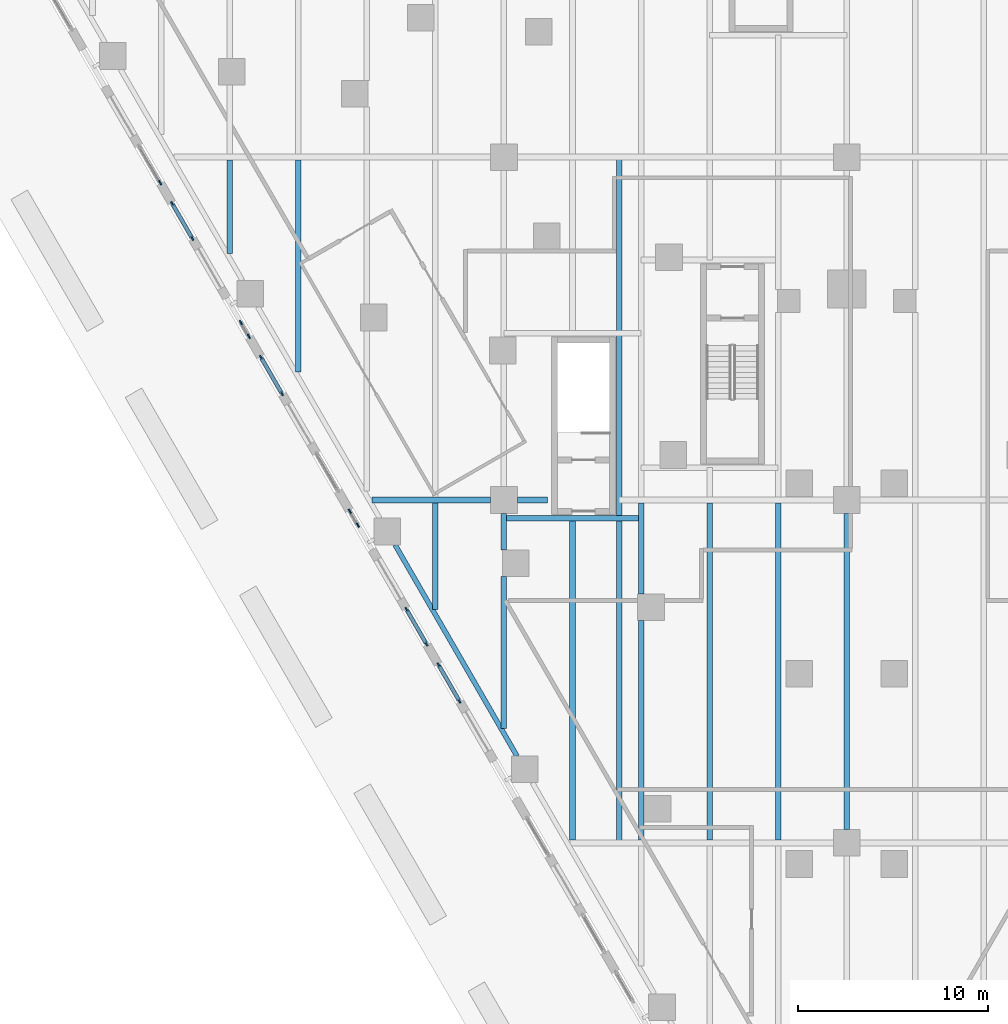
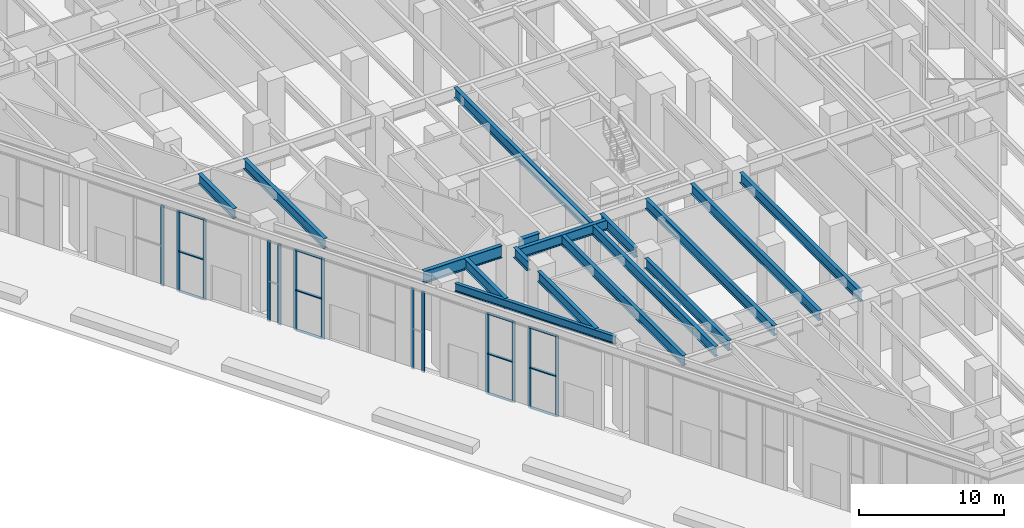
# One storey, part 5 of 37: 25 members, 16 beams, 7 elements without a shape of their own.
"""IFC4 building model written with IfcOpenShell, lengths in metres."""

from ifc_helpers import new_model, si_unit, direction, frame, origin, origin_2d, place, context, subcontext, project, spatial, rectangle, i_section, extrude, material, material_profile, profile_set, type_object, element, aggregate, save


model = new_model("IFC4")

# Units and contexts
model_context = context("Model", 3, precision=1e-05, world=origin(), true_north=direction((0.0, 1.0)))
body_context = subcontext(model_context, "Body", "Model", "MODEL_VIEW")
ifc_project = project(units=[si_unit("LENGTHUNIT", "METRE"), si_unit("AREAUNIT", "SQUARE_METRE"), si_unit("VOLUMEUNIT", "CUBIC_METRE"), si_unit("PLANEANGLEUNIT", "RADIAN"), si_unit("MASSUNIT", "GRAM", prefix="KILO")], contexts=[model_context])

# Site, building, storey
site_placement = place(None, origin())
site = spatial("IfcSite", under=ifc_project, at=site_placement, CompositionType="ELEMENT")
building_placement = place(site_placement, origin())
building = spatial("IfcBuilding", under=site, at=building_placement, Name="Aloe Facet Convention Tower", CompositionType="ELEMENT")
storey_placement = place(building_placement, origin())
storey = spatial("IfcBuildingStorey", under=building, at=storey_placement, Name="L00", CompositionType="ELEMENT", Elevation=0.0)

# Curtain wall, member
ifc_material_1 = material(Name="Aluminium, anodised", Category="aluminium")
curtain_wall_type = type_object("IfcCurtainWallType", Name="EV-CW-PORTAL", PredefinedType="USERDEFINED", material=ifc_material_1)
curtain_wall_1_placement = place(storey_placement, origin())
curtain_wall_1 = element("IfcCurtainWall", 1, at=curtain_wall_1_placement, inside=storey, type_object=curtain_wall_type, Name="CW-L00-W08B", ObjectType="ENTRANCE PORTAL GLAZING", PredefinedType="USERDEFINED")
ifc_material_2 = material(Name="Aluminium, anodised", Category="aluminium")
ifc_material_profile_1 = material_profile(ifc_material_2, rectangle(XDim=0.080078125, YDim=0.25, at=origin_2d()), Name="AL 80x250")
ifc_profile_set_1 = profile_set([ifc_material_profile_1], Name="Aluminium, anodised")
member_type_1 = type_object("IfcMemberType", Name="EV-MULL-PORTAL", PredefinedType="MULLION", material=ifc_profile_set_1)
member_1_placement = place(storey_placement, frame((43.9501953125, 97.660888671875, -0.300048828125), z_axis=(0.0, 0.0, 1.0), x_axis=(0.866025403942, 0.499999999728, 0.0)))
member_1 = element("IfcMember", 2, at=member_1_placement, type_object=member_type_1, Name="CW-L00-W08B mullion 2", PredefinedType="MULLION", context=body_context, shape_type="SweptSolid", body=[
    extrude(rectangle(XDim=0.080078125, YDim=0.25, at=origin_2d()), origin(), (0.0, 0.0, 1.0), 6.8125),
])
aggregate(curtain_wall_1, [member_1])

# Curtain wall, members
curtain_wall_2_placement = place(storey_placement, origin())
curtain_wall_2 = element("IfcCurtainWall", 3, at=curtain_wall_2_placement, inside=storey, type_object=curtain_wall_type, Name="CW-L00-W10A", ObjectType="ENTRANCE PORTAL GLAZING", PredefinedType="USERDEFINED")
member_2_placement = place(storey_placement, frame((44.590087890625, 96.55224609375, -0.300048828125), z_axis=(0.0, 0.0, 1.0), x_axis=(0.86602540368, 0.500000000181, 0.0)))
member_2 = element("IfcMember", 4, at=member_2_placement, type_object=member_type_1, Name="CW-L00-W10A mullion 1", PredefinedType="MULLION", context=body_context, shape_type="SweptSolid", body=[
    extrude(rectangle(XDim=0.080078125, YDim=0.25, at=origin_2d()), origin(), (0.0, 0.0, 1.0), 6.8125),
])
member_3_placement = place(storey_placement, frame((45.63037109375, 94.75048828125, -0.300048828125), z_axis=(0.0, 0.0, 1.0), x_axis=(0.86602540368, 0.500000000181, 0.0)))
member_3 = element("IfcMember", 5, at=member_3_placement, type_object=member_type_1, Name="CW-L00-W10A mullion 2", PredefinedType="MULLION", context=body_context, shape_type="SweptSolid", body=[
    extrude(rectangle(XDim=0.080078125, YDim=0.25, at=origin_2d()), origin(), (0.0, 0.0, 1.0), 6.8125),
])

curtain_wall_3_placement = place(storey_placement, origin())
curtain_wall_3 = element("IfcCurtainWall", 6, at=curtain_wall_3_placement, inside=storey, type_object=curtain_wall_type, Name="CW-L00-W10B", ObjectType="ENTRANCE PORTAL GLAZING", PredefinedType="USERDEFINED")
member_4_placement = place(storey_placement, frame((48.18896484375, 90.31884765625, -0.300048828125), z_axis=(0.0, 0.0, 1.0), x_axis=(0.866025403872, 0.499999999849, 0.0)))
member_4 = element("IfcMember", 7, at=member_4_placement, type_object=member_type_1, Name="CW-L00-W10B mullion 1", PredefinedType="MULLION", context=body_context, shape_type="SweptSolid", body=[
    extrude(rectangle(XDim=0.080078125, YDim=0.25, at=origin_2d()), origin(), (0.0, 0.0, 1.0), 6.8125),
])
member_5_placement = place(storey_placement, frame((48.61083984375, 89.58837890625, -0.300048828125), z_axis=(0.0, 0.0, 1.0), x_axis=(0.866025403872, 0.499999999849, 0.0)))
member_5 = element("IfcMember", 8, at=member_5_placement, type_object=member_type_1, Name="CW-L00-W10B mullion 2", PredefinedType="MULLION", context=body_context, shape_type="SweptSolid", body=[
    extrude(rectangle(XDim=0.080078125, YDim=0.25, at=origin_2d()), origin(), (0.0, 0.0, 1.0), 6.8125),
])
aggregate(curtain_wall_3, [member_4, member_5])

curtain_wall_4_placement = place(storey_placement, origin())
curtain_wall_4 = element("IfcCurtainWall", 9, at=curtain_wall_4_placement, inside=storey, type_object=curtain_wall_type, Name="CW-L00-W12A", ObjectType="ENTRANCE PORTAL GLAZING", PredefinedType="USERDEFINED")
member_6_placement = place(storey_placement, frame((49.250732421875, 88.479736328125, -0.300048828125), z_axis=(0.0, 0.0, 1.0), x_axis=(0.86602540375, 0.50000000006, 0.0)))
member_6 = element("IfcMember", 10, at=member_6_placement, type_object=member_type_1, Name="CW-L00-W12A mullion 1", PredefinedType="MULLION", context=body_context, shape_type="SweptSolid", body=[
    extrude(rectangle(XDim=0.080078125, YDim=0.25, at=origin_2d()), origin(), (0.0, 0.0, 1.0), 6.8125),
])
member_7_placement = place(storey_placement, frame((50.341064453125, 86.59130859375, -0.300048828125), z_axis=(0.0, 0.0, 1.0), x_axis=(0.86602540375, 0.50000000006, 0.0)))
member_7 = element("IfcMember", 11, at=member_7_placement, type_object=member_type_1, Name="CW-L00-W12A mullion 2", PredefinedType="MULLION", context=body_context, shape_type="SweptSolid", body=[
    extrude(rectangle(XDim=0.080078125, YDim=0.25, at=origin_2d()), origin(), (0.0, 0.0, 1.0), 6.8125),
])

curtain_wall_5_placement = place(storey_placement, origin())
curtain_wall_5 = element("IfcCurtainWall", 12, at=curtain_wall_5_placement, inside=storey, type_object=curtain_wall_type, Name="CW-L00-W14A", ObjectType="ENTRANCE PORTAL GLAZING", PredefinedType="USERDEFINED")
member_8_placement = place(storey_placement, frame((53.911376953125, 80.4072265625, -0.300048828125), z_axis=(0.0, 0.0, 1.0), x_axis=(0.866025403872, 0.499999999849, 0.0)))
member_8 = element("IfcMember", 13, at=member_8_placement, type_object=member_type_1, Name="CW-L00-W14A mullion 1", PredefinedType="MULLION", context=body_context, shape_type="SweptSolid", body=[
    extrude(rectangle(XDim=0.080078125, YDim=0.25, at=origin_2d()), origin(), (0.0, 0.0, 1.0), 6.8125),
])
member_9_placement = place(storey_placement, frame((54.3330078125, 79.67724609375, -0.300048828125), z_axis=(0.0, 0.0, 1.0), x_axis=(0.866025403872, 0.499999999849, 0.0)))
member_9 = element("IfcMember", 14, at=member_9_placement, type_object=member_type_1, Name="CW-L00-W14A mullion 2", PredefinedType="MULLION", context=body_context, shape_type="SweptSolid", body=[
    extrude(rectangle(XDim=0.080078125, YDim=0.25, at=origin_2d()), origin(), (0.0, 0.0, 1.0), 6.8125),
])
aggregate(curtain_wall_5, [member_8, member_9])

curtain_wall_6_placement = place(storey_placement, origin())
curtain_wall_6 = element("IfcCurtainWall", 15, at=curtain_wall_6_placement, inside=storey, type_object=curtain_wall_type, Name="CW-L00-W14B", ObjectType="ENTRANCE PORTAL GLAZING", PredefinedType="USERDEFINED")
member_10_placement = place(storey_placement, frame((56.891845703125, 75.2451171875, -0.300048828125), z_axis=(0.0, 0.0, 1.0), x_axis=(0.866025403793, 0.499999999985, 0.0)))
member_10 = element("IfcMember", 16, at=member_10_placement, type_object=member_type_1, Name="CW-L00-W14B mullion 1", PredefinedType="MULLION", context=body_context, shape_type="SweptSolid", body=[
    extrude(rectangle(XDim=0.080078125, YDim=0.25, at=origin_2d()), origin(), (0.0, 0.0, 1.0), 6.8125),
])
member_11_placement = place(storey_placement, frame((57.93212890625, 73.443115234375, -0.300048828125), z_axis=(0.0, 0.0, 1.0), x_axis=(0.866025403793, 0.499999999985, 0.0)))
member_11 = element("IfcMember", 17, at=member_11_placement, type_object=member_type_1, Name="CW-L00-W14B mullion 2", PredefinedType="MULLION", context=body_context, shape_type="SweptSolid", body=[
    extrude(rectangle(XDim=0.080078125, YDim=0.25, at=origin_2d()), origin(), (0.0, 0.0, 1.0), 6.8125),
])

curtain_wall_7_placement = place(storey_placement, origin())
curtain_wall_7 = element("IfcCurtainWall", 18, at=curtain_wall_7_placement, inside=storey, type_object=curtain_wall_type, Name="CW-L00-W16A", ObjectType="ENTRANCE PORTAL GLAZING", PredefinedType="USERDEFINED")
member_12_placement = place(storey_placement, frame((58.572021484375, 72.334716796875, -0.300048828125), z_axis=(0.0, 0.0, 1.0), x_axis=(0.86602540375, 0.50000000006, 0.0)))
member_12 = element("IfcMember", 19, at=member_12_placement, type_object=member_type_1, Name="CW-L00-W16A mullion 1", PredefinedType="MULLION", context=body_context, shape_type="SweptSolid", body=[
    extrude(rectangle(XDim=0.080078125, YDim=0.25, at=origin_2d()), origin(), (0.0, 0.0, 1.0), 6.8125),
])
member_13_placement = place(storey_placement, frame((59.662353515625, 70.4462890625, -0.300048828125), z_axis=(0.0, 0.0, 1.0), x_axis=(0.86602540375, 0.50000000006, 0.0)))
member_13 = element("IfcMember", 20, at=member_13_placement, type_object=member_type_1, Name="CW-L00-W16A mullion 2", PredefinedType="MULLION", context=body_context, shape_type="SweptSolid", body=[
    extrude(rectangle(XDim=0.080078125, YDim=0.25, at=origin_2d()), origin(), (0.0, 0.0, 1.0), 6.8125),
])

# Member
ifc_material_3 = material(Name="Aluminium, anodised", Category="aluminium")
ifc_material_profile_2 = material_profile(ifc_material_3, rectangle(XDim=0.199951171875, YDim=0.080078125, at=origin_2d()), Name="AL 200x80")
ifc_profile_set_2 = profile_set([ifc_material_profile_2], Name="Aluminium, anodised")
member_type_2 = type_object("IfcMemberType", Name="EV-TRAN-PORTAL", PredefinedType="USERDEFINED", material=ifc_profile_set_2)
member_14_placement = place(storey_placement, frame((44.610107421875, 96.517578125, -0.260009765625), z_axis=(0.499958369336, -0.866049437925, 0.0), x_axis=(0.866049437925, 0.499958369336, 0.0)))
member_14 = element("IfcMember", 21, at=member_14_placement, type_object=member_type_2, Name="CW-L00-W10A transom 1.1", ObjectType="TRANSOM", PredefinedType="USERDEFINED", context=body_context, shape_type="SweptSolid", body=[
    extrude(rectangle(XDim=0.199951171875, YDim=0.080078125, at=origin_2d()), origin(), (0.0, 0.0, 1.0), 2.000732421875),
])

member_15_placement = place(storey_placement, frame((44.610107421875, 96.517578125, 3.106201171875), z_axis=(0.499958369336, -0.866049437925, 0.0), x_axis=(0.866049437925, 0.499958369336, 0.0)))
member_15 = element("IfcMember", 22, at=member_15_placement, type_object=member_type_2, Name="CW-L00-W10A transom 1.2", ObjectType="TRANSOM", PredefinedType="USERDEFINED", context=body_context, shape_type="SweptSolid", body=[
    extrude(rectangle(XDim=0.199951171875, YDim=0.080078125, at=origin_2d()), origin(), (0.0, 0.0, 1.0), 2.000732421875),
])

member_16_placement = place(storey_placement, frame((44.610107421875, 96.517578125, 6.472412109375), z_axis=(0.499958369336, -0.866049437925, 0.0), x_axis=(0.866049437925, 0.499958369336, 0.0)))
member_16 = element("IfcMember", 23, at=member_16_placement, type_object=member_type_2, Name="CW-L00-W10A transom 1.3", ObjectType="TRANSOM", PredefinedType="USERDEFINED", context=body_context, shape_type="SweptSolid", body=[
    extrude(rectangle(XDim=0.199951171875, YDim=0.080078125, at=origin_2d()), origin(), (0.0, 0.0, 1.0), 2.000732421875),
])

aggregate(curtain_wall_2, [member_2, member_3, member_14, member_15, member_16])

member_17_placement = place(storey_placement, frame((49.270751953125, 88.445068359375, -0.260009765625), z_axis=(0.50001422142, -0.866017192888, 0.0), x_axis=(0.866017192888, 0.50001422142, 0.0)))
member_17 = element("IfcMember", 24, at=member_17_placement, type_object=member_type_2, Name="CW-L00-W12A transom 1.1", ObjectType="TRANSOM", PredefinedType="USERDEFINED", context=body_context, shape_type="SweptSolid", body=[
    extrude(rectangle(XDim=0.199951171875, YDim=0.080078125, at=origin_2d()), origin(), (0.0, 0.0, 1.0), 2.1005859375),
])

member_18_placement = place(storey_placement, frame((49.270751953125, 88.445068359375, 3.106201171875), z_axis=(0.50001422142, -0.866017192888, 0.0), x_axis=(0.866017192888, 0.50001422142, 0.0)))
member_18 = element("IfcMember", 25, at=member_18_placement, type_object=member_type_2, Name="CW-L00-W12A transom 1.2", ObjectType="TRANSOM", PredefinedType="USERDEFINED", context=body_context, shape_type="SweptSolid", body=[
    extrude(rectangle(XDim=0.199951171875, YDim=0.080078125, at=origin_2d()), origin(), (0.0, 0.0, 1.0), 2.1005859375),
])

member_19_placement = place(storey_placement, frame((49.270751953125, 88.445068359375, 6.472412109375), z_axis=(0.50001422142, -0.866017192888, 0.0), x_axis=(0.866017192888, 0.50001422142, 0.0)))
member_19 = element("IfcMember", 26, at=member_19_placement, type_object=member_type_2, Name="CW-L00-W12A transom 1.3", ObjectType="TRANSOM", PredefinedType="USERDEFINED", context=body_context, shape_type="SweptSolid", body=[
    extrude(rectangle(XDim=0.199951171875, YDim=0.080078125, at=origin_2d()), origin(), (0.0, 0.0, 1.0), 2.1005859375),
])

aggregate(curtain_wall_4, [member_6, member_7, member_17, member_18, member_19])

member_20_placement = place(storey_placement, frame((56.911865234375, 75.21044921875, -0.260009765625), z_axis=(0.499958369336, -0.866049437925, 0.0), x_axis=(0.866049437925, 0.499958369336, 0.0)))
member_20 = element("IfcMember", 27, at=member_20_placement, type_object=member_type_2, Name="CW-L00-W14B transom 1.1", ObjectType="TRANSOM", PredefinedType="USERDEFINED", context=body_context, shape_type="SweptSolid", body=[
    extrude(rectangle(XDim=0.199951171875, YDim=0.080078125, at=origin_2d()), origin(), (0.0, 0.0, 1.0), 2.000732421875),
])

member_21_placement = place(storey_placement, frame((56.911865234375, 75.21044921875, 3.106201171875), z_axis=(0.499958369336, -0.866049437925, 0.0), x_axis=(0.866049437925, 0.499958369336, 0.0)))
member_21 = element("IfcMember", 28, at=member_21_placement, type_object=member_type_2, Name="CW-L00-W14B transom 1.2", ObjectType="TRANSOM", PredefinedType="USERDEFINED", context=body_context, shape_type="SweptSolid", body=[
    extrude(rectangle(XDim=0.199951171875, YDim=0.080078125, at=origin_2d()), origin(), (0.0, 0.0, 1.0), 2.000732421875),
])

member_22_placement = place(storey_placement, frame((56.911865234375, 75.21044921875, 6.472412109375), z_axis=(0.499958369336, -0.866049437925, 0.0), x_axis=(0.866049437925, 0.499958369336, 0.0)))
member_22 = element("IfcMember", 29, at=member_22_placement, type_object=member_type_2, Name="CW-L00-W14B transom 1.3", ObjectType="TRANSOM", PredefinedType="USERDEFINED", context=body_context, shape_type="SweptSolid", body=[
    extrude(rectangle(XDim=0.199951171875, YDim=0.080078125, at=origin_2d()), origin(), (0.0, 0.0, 1.0), 2.000732421875),
])

aggregate(curtain_wall_6, [member_10, member_11, member_20, member_21, member_22])

member_23_placement = place(storey_placement, frame((58.592041015625, 72.300048828125, -0.260009765625), z_axis=(0.500051055413, -0.865995924921, 0.0), x_axis=(0.865995924921, 0.500051055413, 0.0)))
member_23 = element("IfcMember", 30, at=member_23_placement, type_object=member_type_2, Name="CW-L00-W16A transom 1.1", ObjectType="TRANSOM", PredefinedType="USERDEFINED", context=body_context, shape_type="SweptSolid", body=[
    extrude(rectangle(XDim=0.199951171875, YDim=0.080078125, at=origin_2d()), origin(), (0.0, 0.0, 1.0), 2.100830078125),
])

member_24_placement = place(storey_placement, frame((58.592041015625, 72.300048828125, 3.106201171875), z_axis=(0.500051055413, -0.865995924921, 0.0), x_axis=(0.865995924921, 0.500051055413, 0.0)))
member_24 = element("IfcMember", 31, at=member_24_placement, type_object=member_type_2, Name="CW-L00-W16A transom 1.2", ObjectType="TRANSOM", PredefinedType="USERDEFINED", context=body_context, shape_type="SweptSolid", body=[
    extrude(rectangle(XDim=0.199951171875, YDim=0.080078125, at=origin_2d()), origin(), (0.0, 0.0, 1.0), 2.100830078125),
])

member_25_placement = place(storey_placement, frame((58.592041015625, 72.300048828125, 6.472412109375), z_axis=(0.500051055413, -0.865995924921, 0.0), x_axis=(0.865995924921, 0.500051055413, 0.0)))
member_25 = element("IfcMember", 32, at=member_25_placement, type_object=member_type_2, Name="CW-L00-W16A transom 1.3", ObjectType="TRANSOM", PredefinedType="USERDEFINED", context=body_context, shape_type="SweptSolid", body=[
    extrude(rectangle(XDim=0.199951171875, YDim=0.080078125, at=origin_2d()), origin(), (0.0, 0.0, 1.0), 2.100830078125),
])

aggregate(curtain_wall_7, [member_12, member_13, member_23, member_24, member_25])

# Beams
ifc_material_4 = material(Name="Steel S355", Category="steel")
ifc_material_profile_3 = material_profile(ifc_material_4, i_section(OverallWidth=0.305419921875, OverallDepth=1.02587890625, WebThickness=0.02001953125, FlangeThickness=0.031005859375, FilletRadius=0.030029296875, at=origin_2d()), Name="UB 1016x305x349")
ifc_profile_set_3 = profile_set([ifc_material_profile_3], Name="Steel S355")
beam_type_1 = type_object("IfcBeamType", Name="SF-B-UB1016x305x349", PredefinedType="BEAM", material=ifc_profile_set_3)
beam_1_placement = place(storey_placement, frame((55.0830078125, 81.0, 6.68701171875), z_axis=(1.0, 0.0, 0.0), x_axis=(0.0, 1.0, 0.0)))
element("IfcBeam", 33, at=beam_1_placement, inside=storey, type_object=beam_type_1, Name="Floor beam FB-L01-034", PredefinedType="BEAM", context=body_context, shape_type="SweptSolid", body=[
    extrude(i_section(OverallWidth=0.305419921875, OverallDepth=1.02587890625, WebThickness=0.02001953125, FlangeThickness=0.031005859375, FilletRadius=0.030029296875, at=origin_2d()), origin(), (0.0, 0.0, 1.0), 6.217041015625),
])
beam_2_placement = place(storey_placement, frame((62.699951171875, 81.0, 6.68701171875), z_axis=(1.0, 0.0, 0.0), x_axis=(0.0, 1.0, 0.0)))
element("IfcBeam", 34, at=beam_2_placement, inside=storey, type_object=beam_type_1, Name="Floor beam FB-L01-036", PredefinedType="BEAM", context=body_context, shape_type="SweptSolid", body=[
    extrude(i_section(OverallWidth=0.305419921875, OverallDepth=1.02587890625, WebThickness=0.02001953125, FlangeThickness=0.031005859375, FilletRadius=0.030029296875, at=origin_2d()), origin(), (0.0, 0.0, 1.0), 1.60009765625),
])
ifc_material_5 = material(Name="Steel S355", Category="steel")
ifc_material_profile_4 = material_profile(ifc_material_5, i_section(OverallWidth=0.25439453125, OverallDepth=0.6875, WebThickness=0.01318359375, FlangeThickness=0.02099609375, FilletRadius=0.01513671875, at=origin_2d()), Name="UB 686x254x152")
ifc_profile_set_4 = profile_set([ifc_material_profile_4], Name="Steel S355")
beam_type_2 = type_object("IfcBeamType", Name="SF-B-UB686x254x152", PredefinedType="BEAM", material=ifc_profile_set_4)
beam_3_placement = place(storey_placement, frame((62.687255859375, 67.556884765625, 6.856201171875), z_axis=(-0.499987149722, 0.866032822769, 0.0), x_axis=(-0.866032822769, -0.499987149722, 0.0)))
element("IfcBeam", 35, at=beam_3_placement, inside=storey, type_object=beam_type_2, Name="Floor beam FB-L01-012", PredefinedType="BEAM", context=body_context, shape_type="SweptSolid", body=[
    extrude(i_section(OverallWidth=0.25439453125, OverallDepth=0.6875, WebThickness=0.01318359375, FlangeThickness=0.02099609375, FilletRadius=0.01513671875, at=origin_2d()), origin(), (0.0, 0.0, 1.0), 12.801025390625),
])
ifc_material_6 = material(Name="Steel S355", Category="steel")
ifc_material_profile_5 = material_profile(ifc_material_6, i_section(OverallWidth=0.293701171875, OverallDepth=0.850830078125, WebThickness=0.01611328125, FlangeThickness=0.02685546875, FilletRadius=0.017822265625, at=origin_2d()), Name="UB 838x292x226")
ifc_profile_set_5 = profile_set([ifc_material_profile_5], Name="Steel S355")
beam_type_3 = type_object("IfcBeamType", Name="SF-B-UB838x292x226", PredefinedType="BEAM", material=ifc_profile_set_5)
beam_4_placement = place(storey_placement, frame((47.60009765625, 93.95361328125, 6.774658203125), z_axis=(0.0, 1.0, 0.0), x_axis=(-1.0, 0.0, 0.0)))
element("IfcBeam", 36, at=beam_4_placement, inside=storey, type_object=beam_type_3, Name="Floor beam FB-L01-062", PredefinedType="BEAM", context=body_context, shape_type="SweptSolid", body=[
    extrude(i_section(OverallWidth=0.293701171875, OverallDepth=0.850830078125, WebThickness=0.01611328125, FlangeThickness=0.02685546875, FilletRadius=0.017822265625, at=origin_2d()), origin(), (0.0, 0.0, 1.0), 4.893798828125),
])
beam_5_placement = place(storey_placement, frame((51.199951171875, 87.718017578125, 6.774658203125), z_axis=(0.0, 1.0, 0.0), x_axis=(-1.0, 0.0, 0.0)))
element("IfcBeam", 37, at=beam_5_placement, inside=storey, type_object=beam_type_3, Name="Floor beam FB-L01-066", PredefinedType="BEAM", context=body_context, shape_type="SweptSolid", body=[
    extrude(i_section(OverallWidth=0.293701171875, OverallDepth=0.850830078125, WebThickness=0.01611328125, FlangeThickness=0.02685546875, FilletRadius=0.017822265625, at=origin_2d()), origin(), (0.0, 0.0, 1.0), 11.12939453125),
])
beam_6_placement = place(storey_placement, frame((58.39990234375, 75.247314453125, 6.774658203125), z_axis=(0.0, 1.0, 0.0), x_axis=(-1.0, 0.0, 0.0)))
element("IfcBeam", 38, at=beam_6_placement, inside=storey, type_object=beam_type_3, Name="Floor beam FB-L01-075", PredefinedType="BEAM", context=body_context, shape_type="SweptSolid", body=[
    extrude(i_section(OverallWidth=0.293701171875, OverallDepth=0.850830078125, WebThickness=0.01611328125, FlangeThickness=0.02685546875, FilletRadius=0.017822265625, at=origin_2d()), origin(), (0.0, 0.0, 1.0), 5.60009765625),
])
beam_7_placement = place(storey_placement, frame((62.0, 69.011962890625, 6.774658203125), z_axis=(0.0, 1.0, 0.0), x_axis=(-1.0, 0.0, 0.0)))
element("IfcBeam", 39, at=beam_7_placement, inside=storey, type_object=beam_type_3, Name="Floor beam FB-L01-079", PredefinedType="BEAM", context=body_context, shape_type="SweptSolid", body=[
    extrude(i_section(OverallWidth=0.293701171875, OverallDepth=0.850830078125, WebThickness=0.01611328125, FlangeThickness=0.02685546875, FilletRadius=0.017822265625, at=origin_2d()), origin(), (0.0, 0.0, 1.0), 7.97412109375),
])
beam_8_placement = place(storey_placement, frame((62.0, 78.385986328125, 6.774658203125), z_axis=(0.0, 1.0, 0.0), x_axis=(-1.0, 0.0, 0.0)))
element("IfcBeam", 40, at=beam_8_placement, inside=storey, type_object=beam_type_3, Name="Floor beam FB-L01-080", PredefinedType="BEAM", context=body_context, shape_type="SweptSolid", body=[
    extrude(i_section(OverallWidth=0.293701171875, OverallDepth=0.850830078125, WebThickness=0.01611328125, FlangeThickness=0.02685546875, FilletRadius=0.017822265625, at=origin_2d()), origin(), (0.0, 0.0, 1.0), 1.9140625),
])
beam_9_placement = place(storey_placement, frame((62.0, 80.050048828125, 6.774658203125), z_axis=(1.0, 0.0, 0.0), x_axis=(0.0, 1.0, 0.0)))
element("IfcBeam", 41, at=beam_9_placement, inside=storey, type_object=beam_type_3, Name="Floor beam FB-L01-081", PredefinedType="BEAM", context=body_context, shape_type="SweptSolid", body=[
    extrude(i_section(OverallWidth=0.293701171875, OverallDepth=0.850830078125, WebThickness=0.01611328125, FlangeThickness=0.02685546875, FilletRadius=0.017822265625, at=origin_2d()), origin(), (0.0, 0.0, 1.0), 7.199951171875),
])
beam_10_placement = place(storey_placement, frame((65.60009765625, 63.152587890625, 6.774658203125), z_axis=(0.0, 1.0, 0.0), x_axis=(-1.0, 0.0, 0.0)))
element("IfcBeam", 42, at=beam_10_placement, inside=storey, type_object=beam_type_3, Name="Floor beam FB-L01-087", PredefinedType="BEAM", context=body_context, shape_type="SweptSolid", body=[
    extrude(i_section(OverallWidth=0.293701171875, OverallDepth=0.850830078125, WebThickness=0.01611328125, FlangeThickness=0.02685546875, FilletRadius=0.017822265625, at=origin_2d()), origin(), (0.0, 0.0, 1.0), 16.8974609375),
])
beam_11_placement = place(storey_placement, frame((68.050048828125, 63.0, 6.774658203125), z_axis=(0.0, 1.0, 0.0), x_axis=(-1.0, 0.0, 0.0)))
element("IfcBeam", 43, at=beam_11_placement, inside=storey, type_object=beam_type_3, Name="Floor beam FB-L01-091", PredefinedType="BEAM", context=body_context, shape_type="SweptSolid", body=[
    extrude(i_section(OverallWidth=0.293701171875, OverallDepth=0.850830078125, WebThickness=0.01611328125, FlangeThickness=0.02685546875, FilletRadius=0.017822265625, at=origin_2d()), origin(), (0.0, 0.0, 1.0), 36.0),
])
beam_12_placement = place(storey_placement, frame((69.199951171875, 63.152587890625, 6.774658203125), z_axis=(0.0, 1.0, 0.0), x_axis=(-1.0, 0.0, 0.0)))
element("IfcBeam", 44, at=beam_12_placement, inside=storey, type_object=beam_type_3, Name="Floor beam FB-L01-093", PredefinedType="BEAM", context=body_context, shape_type="SweptSolid", body=[
    extrude(i_section(OverallWidth=0.293701171875, OverallDepth=0.850830078125, WebThickness=0.01611328125, FlangeThickness=0.02685546875, FilletRadius=0.017822265625, at=origin_2d()), origin(), (0.0, 0.0, 1.0), 11.513427734375),
])
beam_13_placement = place(storey_placement, frame((69.199951171875, 76.06591796875, 6.774658203125), z_axis=(0.0, 1.0, 0.0), x_axis=(-1.0, 0.0, 0.0)))
element("IfcBeam", 45, at=beam_13_placement, inside=storey, type_object=beam_type_3, Name="Floor beam FB-L01-094", PredefinedType="BEAM", context=body_context, shape_type="SweptSolid", body=[
    extrude(i_section(OverallWidth=0.293701171875, OverallDepth=0.850830078125, WebThickness=0.01611328125, FlangeThickness=0.02685546875, FilletRadius=0.017822265625, at=origin_2d()), origin(), (0.0, 0.0, 1.0), 4.781494140625),
])
for number, where, z_axis, x_axis, name in (
    (46, (72.800048828125, 63.152587890625, 6.774658203125), (0.0, 1.0, 0.0), (-1.0, 0.0, 0.0), "Floor beam FB-L01-101"),
    (47, (76.39990234375, 63.152587890625, 6.774658203125), (0.0, 1.0, 0.0), (-1.0, 0.0, 0.0), "Floor beam FB-L01-108"),
):
    element("IfcBeam", number, at=place(storey_placement, frame(where, z_axis=z_axis, x_axis=x_axis)), inside=storey, type_object=beam_type_3, Name=name, PredefinedType="BEAM", context=body_context, shape_type="SweptSolid", body=[
        extrude(i_section(OverallWidth=0.293701171875, OverallDepth=0.850830078125, WebThickness=0.01611328125, FlangeThickness=0.02685546875, FilletRadius=0.017822265625, at=origin_2d()), origin(), (0.0, 0.0, 1.0), 17.69482421875),
    ])
beam_14_placement = place(storey_placement, frame((80.0, 63.699951171875, 6.774658203125), z_axis=(0.0, 1.0, 0.0), x_axis=(-1.0, 0.0, 0.0)))
element("IfcBeam", 48, at=beam_14_placement, inside=storey, type_object=beam_type_3, Name="Floor beam FB-L01-115", PredefinedType="BEAM", context=body_context, shape_type="SweptSolid", body=[
    extrude(i_section(OverallWidth=0.293701171875, OverallDepth=0.850830078125, WebThickness=0.01611328125, FlangeThickness=0.02685546875, FilletRadius=0.017822265625, at=origin_2d()), origin(), (0.0, 0.0, 1.0), 16.60009765625),
])

save(model, "model.ifc")
